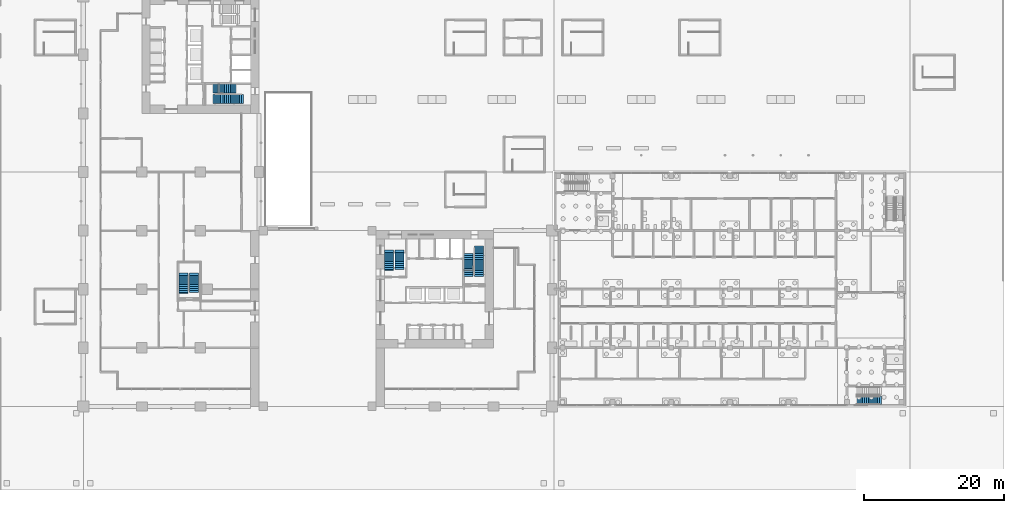
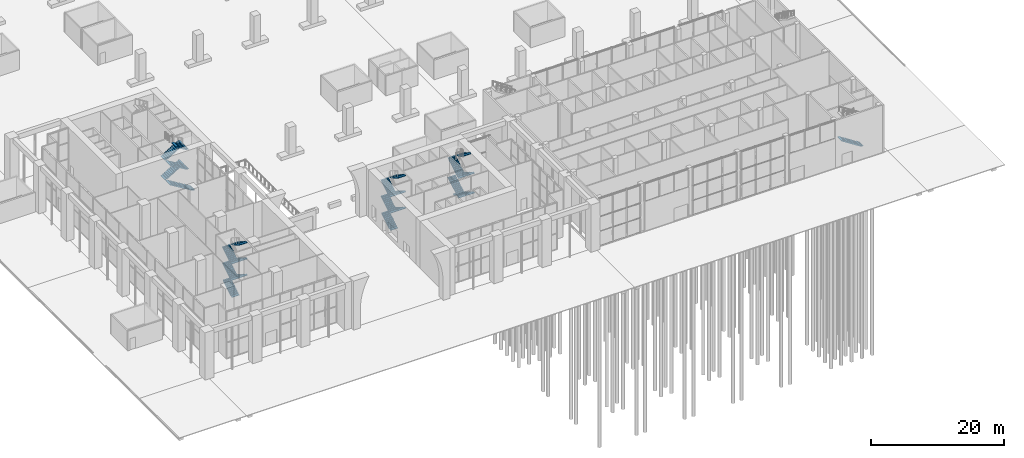
# One storey, part 32 of 46: 23 stair flights, 5 elements without a shape of their own.
"""IFC4 building model written with IfcOpenShell, lengths in metres."""

from ifc_helpers import new_model, si_unit, direction, frame, origin, place, context, subcontext, project, spatial, polyline, outline, extrude, material, type_object, element, aggregate, save


model = new_model("IFC4")

# Units and contexts
model_context = context("Model", 3, precision=1e-05, world=origin(), true_north=direction((0.0, 1.0)))
body_context = subcontext(model_context, "Body", "Model", "MODEL_VIEW")
ifc_project = project(units=[si_unit("LENGTHUNIT", "METRE"), si_unit("AREAUNIT", "SQUARE_METRE"), si_unit("VOLUMEUNIT", "CUBIC_METRE"), si_unit("PLANEANGLEUNIT", "RADIAN"), si_unit("MASSUNIT", "GRAM", prefix="KILO")], contexts=[model_context])

# Site, building, storey
site_placement = place(None, origin())
site = spatial("IfcSite", under=ifc_project, at=site_placement, CompositionType="ELEMENT")
building_placement = place(site_placement, origin())
building = spatial("IfcBuilding", under=site, at=building_placement, Name="Vermilion Gate Residences", CompositionType="ELEMENT")
storey_placement = place(building_placement, origin())
storey = spatial("IfcBuildingStorey", under=building, at=storey_placement, Name="L00", CompositionType="ELEMENT", Elevation=0.0)

# Stair, stair flight
ifc_material_1 = material(Name="Concrete C35", Category="concrete")
stair_type_1 = type_object("IfcStairType", Name="RC STAIR 1200 (MARKET HALL)", PredefinedType="HALF_TURN_STAIR", material=ifc_material_1)
stair_1_placement = place(storey_placement, origin())
stair_1 = element("IfcStair", 1, at=stair_1_placement, inside=storey, type_object=stair_type_1, Name="Stair STH2-00", PredefinedType="HALF_TURN_STAIR")
ifc_material_2 = material(Name="Concrete C35", Category="concrete")
stair_flight_type_1 = type_object("IfcStairFlightType", Name="RC STAIR FLIGHT 1200 (MARKET HALL)", PredefinedType="STRAIGHT", material=ifc_material_2)
stair_flight_1_placement = place(storey_placement, frame((114.1650390625, 0.85009765625, 2.25), z_axis=(0.0, 0.0, 1.0), x_axis=(-1.0, 0.0, 0.0)))
stair_flight_1 = element("IfcStairFlight", 2, at=stair_flight_1_placement, type_object=stair_flight_type_1, Name="STH2-00 flight 2", NumberOfRisers=13, NumberOfTreads=12, PredefinedType="STRAIGHT", RiserHeight=0.173076923, TreadLength=0.27, context=body_context, shape_type="SweptSolid", body=[
    extrude(outline(polyline([(-0.300048828125, -0.14990234375), (-0.300048828125, -0.030029296875), (0.0, 0.0), (0.0, 0.173095703125), (0.27001953125, 0.173095703125), (0.27001953125, 0.34619140625), (0.5400390625, 0.34619140625), (0.5400390625, 0.519287109375), (0.81005859375, 0.519287109375), (0.81005859375, 0.6923828125), (1.080078125, 0.6923828125), (1.080078125, 0.865478515625), (1.35009765625, 0.865478515625), (1.35009765625, 1.03857421875), (1.6201171875, 1.03857421875), (1.6201171875, 1.21142578125), (1.889892578125, 1.21142578125), (1.889892578125, 1.384521484375), (2.159912109375, 1.384521484375), (2.159912109375, 1.5576171875), (2.429931640625, 1.5576171875), (2.429931640625, 1.730712890625), (2.699951171875, 1.730712890625), (2.699951171875, 1.90380859375), (2.969970703125, 1.90380859375), (2.969970703125, 2.076904296875), (3.239990234375, 2.076904296875), (3.239990234375, 2.25), (3.5400390625, 2.219970703125), (3.5400390625, 2.10009765625), (3.239990234375, 1.89892578125), (0.27783203125, 0.0), (-0.300048828125, -0.14990234375)])), frame((0.0, 0.60009765625, 0.0), z_axis=(0.0, -1.0, 0.0), x_axis=(1.0, 0.0, 0.0)), (0.0, 0.0, 1.0), 1.199951171875),
])
aggregate(stair_1, [stair_flight_1])

# Stair, stair flights
ifc_material_3 = material(Name="Concrete C50", Category="concrete")
stair_type_2 = type_object("IfcStairType", Name="SPECIAL ESCAPE STAIR 1300", PredefinedType="HALF_TURN_STAIR", material=ifc_material_3)
stair_2_placement = place(storey_placement, origin())
stair_2 = element("IfcStair", 3, at=stair_2_placement, inside=storey, type_object=stair_type_2, Name="Special escape stair STA1-00", PredefinedType="HALF_TURN_STAIR")
ifc_material_4 = material(Name="Concrete C50", Category="concrete")
stair_flight_type_2 = type_object("IfcStairFlightType", Name="STAIR FLIGHT 1300 RC C50", PredefinedType="STRAIGHT", material=ifc_material_4)
stair_flight_2_placement = place(storey_placement, frame((43.85009765625, 19.75, 0.0), z_axis=(0.0, 0.0, 1.0), x_axis=(0.0, 1.0, 0.0)))
stair_flight_2 = element("IfcStairFlight", 4, at=stair_flight_2_placement, type_object=stair_flight_type_2, Name="STA1-00 flight 1", NumberOfRisers=9, NumberOfTreads=8, PredefinedType="STRAIGHT", RiserHeight=0.166666667, TreadLength=0.27, context=body_context, shape_type="SweptSolid", body=[
    extrude(outline(polyline([(-0.300048828125, -0.14990234375), (-0.300048828125, -0.030029296875), (0.0, 0.0), (0.0, 0.166748046875), (0.27001953125, 0.166748046875), (0.27001953125, 0.333251953125), (0.5400390625, 0.333251953125), (0.5400390625, 0.5), (0.81005859375, 0.5), (0.81005859375, 0.666748046875), (1.080078125, 0.666748046875), (1.080078125, 0.833251953125), (1.35009765625, 0.833251953125), (1.35009765625, 1.0), (1.6201171875, 1.0), (1.6201171875, 1.166748046875), (1.889892578125, 1.166748046875), (1.889892578125, 1.333251953125), (2.159912109375, 1.333251953125), (2.159912109375, 1.5), (2.4599609375, 1.469970703125), (2.4599609375, 1.35009765625), (2.159912109375, 1.1572265625), (0.285400390625, 0.0), (-0.300048828125, -0.14990234375)])), frame((0.0, 0.64990234375, 0.0), z_axis=(0.0, -1.0, 0.0), x_axis=(1.0, 0.0, 0.0)), (0.0, 0.0, 1.0), 1.300048828125),
])
stair_flight_3_placement = place(storey_placement, frame((45.35009765625, 22.090087890625, 1.5), z_axis=(0.0, 0.0, 1.0), x_axis=(0.0, -1.0, 0.0)))
stair_flight_3 = element("IfcStairFlight", 5, at=stair_flight_3_placement, type_object=stair_flight_type_2, Name="STA1-00 flight 2", NumberOfRisers=9, NumberOfTreads=8, PredefinedType="STRAIGHT", RiserHeight=0.166666667, TreadLength=0.27, context=body_context, shape_type="SweptSolid", body=[
    extrude(outline(polyline([(-0.300048828125, -0.14990234375), (-0.300048828125, -0.030029296875), (0.0, 0.0), (0.0, 0.166748046875), (0.27001953125, 0.166748046875), (0.27001953125, 0.333251953125), (0.5400390625, 0.333251953125), (0.5400390625, 0.5), (0.81005859375, 0.5), (0.81005859375, 0.666748046875), (1.080078125, 0.666748046875), (1.080078125, 0.833251953125), (1.35009765625, 0.833251953125), (1.35009765625, 1.0), (1.6201171875, 1.0), (1.6201171875, 1.166748046875), (1.889892578125, 1.166748046875), (1.889892578125, 1.333251953125), (2.159912109375, 1.333251953125), (2.159912109375, 1.5), (2.4599609375, 1.469970703125), (2.4599609375, 1.35009765625), (2.159912109375, 1.1572265625), (0.285400390625, 0.0), (-0.300048828125, -0.14990234375)])), frame((0.0, 0.64990234375, 0.0), z_axis=(0.0, -1.0, 0.0), x_axis=(1.0, 0.0, 0.0)), (0.0, 0.0, 1.0), 1.300048828125),
])
stair_flight_4_placement = place(storey_placement, frame((43.85009765625, 19.929931640625, 3.0), z_axis=(0.0, 0.0, 1.0), x_axis=(0.0, 1.0, 0.0)))
stair_flight_4 = element("IfcStairFlight", 6, at=stair_flight_4_placement, type_object=stair_flight_type_2, Name="STA1-00 flight 3", NumberOfRisers=9, NumberOfTreads=8, PredefinedType="STRAIGHT", RiserHeight=0.166666667, TreadLength=0.27, context=body_context, shape_type="SweptSolid", body=[
    extrude(outline(polyline([(-0.300048828125, -0.14990234375), (-0.300048828125, -0.030029296875), (0.0, 0.0), (0.0, 0.166748046875), (0.27001953125, 0.166748046875), (0.27001953125, 0.333251953125), (0.5400390625, 0.333251953125), (0.5400390625, 0.5), (0.81005859375, 0.5), (0.81005859375, 0.666748046875), (1.080078125, 0.666748046875), (1.080078125, 0.833251953125), (1.35009765625, 0.833251953125), (1.35009765625, 1.0), (1.6201171875, 1.0), (1.6201171875, 1.166748046875), (1.889892578125, 1.166748046875), (1.889892578125, 1.333251953125), (2.159912109375, 1.333251953125), (2.159912109375, 1.5), (2.4599609375, 1.469970703125), (2.4599609375, 1.35009765625), (2.159912109375, 1.1572265625), (0.285400390625, 0.0), (-0.300048828125, -0.14990234375)])), frame((0.0, 0.64990234375, 0.0), z_axis=(0.0, -1.0, 0.0), x_axis=(1.0, 0.0, 0.0)), (0.0, 0.0, 1.0), 1.300048828125),
])
stair_flight_5_placement = place(storey_placement, frame((45.35009765625, 22.090087890625, 4.5), z_axis=(0.0, 0.0, 1.0), x_axis=(0.0, -1.0, 0.0)))
stair_flight_5 = element("IfcStairFlight", 7, at=stair_flight_5_placement, type_object=stair_flight_type_2, Name="STA1-00 flight 4", NumberOfRisers=9, NumberOfTreads=8, PredefinedType="STRAIGHT", RiserHeight=0.166666667, TreadLength=0.27, context=body_context, shape_type="SweptSolid", body=[
    extrude(outline(polyline([(-0.300048828125, -0.14990234375), (-0.300048828125, -0.030029296875), (0.0, 0.0), (0.0, 0.166748046875), (0.27001953125, 0.166748046875), (0.27001953125, 0.333251953125), (0.5400390625, 0.333251953125), (0.5400390625, 0.5), (0.81005859375, 0.5), (0.81005859375, 0.666748046875), (1.080078125, 0.666748046875), (1.080078125, 0.833251953125), (1.35009765625, 0.833251953125), (1.35009765625, 1.0), (1.6201171875, 1.0), (1.6201171875, 1.166748046875), (1.889892578125, 1.166748046875), (1.889892578125, 1.333251953125), (2.159912109375, 1.333251953125), (2.159912109375, 1.5), (2.4599609375, 1.469970703125), (2.4599609375, 1.35009765625), (2.159912109375, 1.1572265625), (0.285400390625, 0.0), (-0.300048828125, -0.14990234375)])), frame((0.0, 0.64990234375, 0.0), z_axis=(0.0, -1.0, 0.0), x_axis=(1.0, 0.0, 0.0)), (0.0, 0.0, 1.0), 1.300048828125),
])
stair_flight_6_placement = place(storey_placement, frame((43.85009765625, 19.929931640625, 6.0), z_axis=(0.0, 0.0, 1.0), x_axis=(0.0, 1.0, 0.0)))
stair_flight_6 = element("IfcStairFlight", 8, at=stair_flight_6_placement, type_object=stair_flight_type_2, Name="STA1-00 flight 5", NumberOfRisers=9, NumberOfTreads=8, PredefinedType="STRAIGHT", RiserHeight=0.166666667, TreadLength=0.27, context=body_context, shape_type="SweptSolid", body=[
    extrude(outline(polyline([(-0.300048828125, -0.14990234375), (-0.300048828125, -0.030029296875), (0.0, 0.0), (0.0, 0.166748046875), (0.27001953125, 0.166748046875), (0.27001953125, 0.333251953125), (0.5400390625, 0.333251953125), (0.5400390625, 0.5), (0.81005859375, 0.5), (0.81005859375, 0.666748046875), (1.080078125, 0.666748046875), (1.080078125, 0.833251953125), (1.35009765625, 0.833251953125), (1.35009765625, 1.0), (1.6201171875, 1.0), (1.6201171875, 1.166748046875), (1.889892578125, 1.166748046875), (1.889892578125, 1.333251953125), (2.159912109375, 1.333251953125), (2.159912109375, 1.5), (2.4599609375, 1.469970703125), (2.4599609375, 1.35009765625), (2.159912109375, 1.1572265625), (0.285400390625, 0.0), (-0.300048828125, -0.14990234375)])), frame((0.0, 0.64990234375, 0.0), z_axis=(0.0, -1.0, 0.0), x_axis=(1.0, 0.0, 0.0)), (0.0, 0.0, 1.0), 1.300048828125),
])
stair_flight_7_placement = place(storey_placement, frame((45.35009765625, 22.090087890625, 7.5), z_axis=(0.0, 0.0, 1.0), x_axis=(0.0, -1.0, 0.0)))
stair_flight_7 = element("IfcStairFlight", 9, at=stair_flight_7_placement, type_object=stair_flight_type_2, Name="STA1-00 flight 6", NumberOfRisers=9, NumberOfTreads=8, PredefinedType="STRAIGHT", RiserHeight=0.166666667, TreadLength=0.27, context=body_context, shape_type="SweptSolid", body=[
    extrude(outline(polyline([(-0.300048828125, -0.14990234375), (-0.300048828125, -0.030029296875), (0.0, 0.0), (0.0, 0.166748046875), (0.27001953125, 0.166748046875), (0.27001953125, 0.333251953125), (0.5400390625, 0.333251953125), (0.5400390625, 0.5), (0.81005859375, 0.5), (0.81005859375, 0.666748046875), (1.080078125, 0.666748046875), (1.080078125, 0.833251953125), (1.35009765625, 0.833251953125), (1.35009765625, 1.0), (1.6201171875, 1.0), (1.6201171875, 1.166748046875), (1.889892578125, 1.166748046875), (1.889892578125, 1.333251953125), (2.159912109375, 1.333251953125), (2.159912109375, 1.5), (2.4599609375, 1.469970703125), (2.4599609375, 1.35009765625), (2.159912109375, 1.1572265625), (0.285400390625, 0.0), (-0.300048828125, -0.14990234375)])), frame((0.0, 0.64990234375, 0.0), z_axis=(0.0, -1.0, 0.0), x_axis=(1.0, 0.0, 0.0)), (0.0, 0.0, 1.0), 1.300048828125),
])
aggregate(stair_2, [stair_flight_2, stair_flight_3, stair_flight_4, stair_flight_5, stair_flight_6, stair_flight_7])

stair_3_placement = place(storey_placement, origin())
stair_3 = element("IfcStair", 10, at=stair_3_placement, inside=storey, type_object=stair_type_2, Name="Special escape stair STA2-00", PredefinedType="HALF_TURN_STAIR")
stair_flight_8_placement = place(storey_placement, frame((56.75, 22.699951171875, 0.0), z_axis=(0.0, 0.0, 1.0), x_axis=(0.0, -1.0, 0.0)))
stair_flight_8 = element("IfcStairFlight", 11, at=stair_flight_8_placement, type_object=stair_flight_type_2, Name="STA2-00 flight 1", NumberOfRisers=15, NumberOfTreads=14, PredefinedType="STRAIGHT", RiserHeight=0.163636364, TreadLength=0.27, context=body_context, shape_type="SweptSolid", body=[
    extrude(outline(polyline([(-0.300048828125, -0.14990234375), (-0.300048828125, -0.030029296875), (0.0, 0.0), (0.0, 0.16357421875), (0.27001953125, 0.16357421875), (0.27001953125, 0.327392578125), (0.5400390625, 0.327392578125), (0.5400390625, 0.490966796875), (0.81005859375, 0.490966796875), (0.81005859375, 0.654541015625), (1.080078125, 0.654541015625), (1.080078125, 0.818115234375), (1.35009765625, 0.818115234375), (1.35009765625, 0.98193359375), (1.6201171875, 0.98193359375), (1.6201171875, 1.1455078125), (1.889892578125, 1.1455078125), (1.889892578125, 1.30908203125), (2.159912109375, 1.30908203125), (2.159912109375, 1.47265625), (2.429931640625, 1.47265625), (2.429931640625, 1.636474609375), (2.699951171875, 1.636474609375), (2.699951171875, 1.800048828125), (2.969970703125, 1.800048828125), (2.969970703125, 1.963623046875), (3.239990234375, 1.963623046875), (3.239990234375, 2.127197265625), (3.510009765625, 2.127197265625), (3.510009765625, 2.291015625), (3.780029296875, 2.291015625), (3.780029296875, 2.45458984375), (4.080078125, 2.424560546875), (4.080078125, 2.3046875), (3.780029296875, 2.11572265625), (0.289306640625, 0.0), (-0.300048828125, -0.14990234375)])), frame((0.0, 0.64990234375, 0.0), z_axis=(0.0, -1.0, 0.0), x_axis=(1.0, 0.0, 0.0)), (0.0, 0.0, 1.0), 1.300048828125),
])
stair_flight_9_placement = place(storey_placement, frame((55.25, 18.919921875, 2.45458984375), z_axis=(0.0, 0.0, 1.0), x_axis=(0.0, 1.0, 0.0)))
stair_flight_9 = element("IfcStairFlight", 12, at=stair_flight_9_placement, type_object=stair_flight_type_2, Name="STA2-00 flight 2", NumberOfRisers=11, NumberOfTreads=10, PredefinedType="STRAIGHT", RiserHeight=0.163636364, TreadLength=0.27, context=body_context, shape_type="SweptSolid", body=[
    extrude(outline(polyline([(-0.300048828125, -0.14990234375), (-0.300048828125, -0.030029296875), (0.0, 0.0), (0.0, 0.16357421875), (0.27001953125, 0.16357421875), (0.27001953125, 0.327392578125), (0.5400390625, 0.327392578125), (0.5400390625, 0.490966796875), (0.81005859375, 0.490966796875), (0.81005859375, 0.654541015625), (1.080078125, 0.654541015625), (1.080078125, 0.818115234375), (1.35009765625, 0.818115234375), (1.35009765625, 0.98193359375), (1.6201171875, 0.98193359375), (1.6201171875, 1.1455078125), (1.889892578125, 1.1455078125), (1.889892578125, 1.30908203125), (2.159912109375, 1.30908203125), (2.159912109375, 1.47265625), (2.429931640625, 1.47265625), (2.429931640625, 1.636474609375), (2.699951171875, 1.636474609375), (2.699951171875, 1.800048828125), (3.0, 1.77001953125), (3.0, 1.650146484375), (2.699951171875, 1.461181640625), (0.289306640625, 0.0), (-0.300048828125, -0.14990234375)])), frame((0.0, 0.64990234375, 0.0), z_axis=(0.0, -1.0, 0.0), x_axis=(1.0, 0.0, 0.0)), (0.0, 0.0, 1.0), 1.300048828125),
])
stair_flight_10_placement = place(storey_placement, frame((56.75, 21.6201171875, 4.254638671875), z_axis=(0.0, 0.0, 1.0), x_axis=(0.0, -1.0, 0.0)))
stair_flight_10 = element("IfcStairFlight", 13, at=stair_flight_10_placement, type_object=stair_flight_type_2, Name="STA2-00 flight 3", NumberOfRisers=11, NumberOfTreads=10, PredefinedType="STRAIGHT", RiserHeight=0.163636364, TreadLength=0.27, context=body_context, shape_type="SweptSolid", body=[
    extrude(outline(polyline([(-0.300048828125, -0.14990234375), (-0.300048828125, -0.030029296875), (0.0, 0.0), (0.0, 0.16357421875), (0.27001953125, 0.16357421875), (0.27001953125, 0.327392578125), (0.5400390625, 0.327392578125), (0.5400390625, 0.490966796875), (0.81005859375, 0.490966796875), (0.81005859375, 0.654541015625), (1.080078125, 0.654541015625), (1.080078125, 0.818115234375), (1.35009765625, 0.818115234375), (1.35009765625, 0.98193359375), (1.6201171875, 0.98193359375), (1.6201171875, 1.1455078125), (1.889892578125, 1.1455078125), (1.889892578125, 1.30908203125), (2.159912109375, 1.30908203125), (2.159912109375, 1.47265625), (2.429931640625, 1.47265625), (2.429931640625, 1.636474609375), (2.699951171875, 1.636474609375), (2.699951171875, 1.800048828125), (3.0, 1.77001953125), (3.0, 1.650146484375), (2.699951171875, 1.461181640625), (0.289306640625, 0.0), (-0.300048828125, -0.14990234375)])), frame((0.0, 0.64990234375, 0.0), z_axis=(0.0, -1.0, 0.0), x_axis=(1.0, 0.0, 0.0)), (0.0, 0.0, 1.0), 1.300048828125),
])
stair_flight_11_placement = place(storey_placement, frame((55.25, 18.919921875, 6.054443359375), z_axis=(0.0, 0.0, 1.0), x_axis=(0.0, 1.0, 0.0)))
stair_flight_11 = element("IfcStairFlight", 14, at=stair_flight_11_placement, type_object=stair_flight_type_2, Name="STA2-00 flight 4", NumberOfRisers=11, NumberOfTreads=10, PredefinedType="STRAIGHT", RiserHeight=0.163636364, TreadLength=0.27, context=body_context, shape_type="SweptSolid", body=[
    extrude(outline(polyline([(-0.300048828125, -0.14990234375), (-0.300048828125, -0.030029296875), (0.0, 0.0), (0.0, 0.16357421875), (0.27001953125, 0.16357421875), (0.27001953125, 0.327392578125), (0.5400390625, 0.327392578125), (0.5400390625, 0.490966796875), (0.81005859375, 0.490966796875), (0.81005859375, 0.654541015625), (1.080078125, 0.654541015625), (1.080078125, 0.818115234375), (1.35009765625, 0.818115234375), (1.35009765625, 0.98193359375), (1.6201171875, 0.98193359375), (1.6201171875, 1.1455078125), (1.889892578125, 1.1455078125), (1.889892578125, 1.30908203125), (2.159912109375, 1.30908203125), (2.159912109375, 1.47265625), (2.429931640625, 1.47265625), (2.429931640625, 1.636474609375), (2.699951171875, 1.636474609375), (2.699951171875, 1.800048828125), (3.0, 1.77001953125), (3.0, 1.650146484375), (2.699951171875, 1.461181640625), (0.289306640625, 0.0), (-0.300048828125, -0.14990234375)])), frame((0.0, 0.64990234375, 0.0), z_axis=(0.0, -1.0, 0.0), x_axis=(1.0, 0.0, 0.0)), (0.0, 0.0, 1.0), 1.300048828125),
])
stair_flight_12_placement = place(storey_placement, frame((56.75, 21.6201171875, 7.8544921875), z_axis=(0.0, 0.0, 1.0), x_axis=(0.0, -1.0, 0.0)))
stair_flight_12 = element("IfcStairFlight", 15, at=stair_flight_12_placement, type_object=stair_flight_type_2, Name="STA2-00 flight 5", NumberOfRisers=7, NumberOfTreads=6, PredefinedType="STRAIGHT", RiserHeight=0.163636364, TreadLength=0.27, context=body_context, shape_type="SweptSolid", body=[
    extrude(outline(polyline([(-0.300048828125, -0.14990234375), (-0.300048828125, -0.08984375), (-0.300048828125, -0.030029296875), (0.0, 0.0), (0.0, 0.16357421875), (0.27001953125, 0.16357421875), (0.27001953125, 0.327392578125), (0.5400390625, 0.327392578125), (0.5400390625, 0.490966796875), (0.81005859375, 0.490966796875), (0.81005859375, 0.654541015625), (1.080078125, 0.654541015625), (1.080078125, 0.818115234375), (1.35009765625, 0.818115234375), (1.35009765625, 0.98193359375), (1.6201171875, 0.98193359375), (1.6201171875, 1.1455078125), (1.919921875, 1.115478515625), (1.919921875, 1.055419921875), (1.919921875, 0.99560546875), (1.6201171875, 0.806640625), (0.289306640625, 0.0), (-0.300048828125, -0.14990234375)])), frame((0.0, 0.64990234375, 0.0), z_axis=(0.0, -1.0, 0.0), x_axis=(1.0, 0.0, 0.0)), (0.0, 0.0, 1.0), 1.300048828125),
])
aggregate(stair_3, [stair_flight_8, stair_flight_9, stair_flight_10, stair_flight_11, stair_flight_12])

stair_4_placement = place(storey_placement, origin())
stair_4 = element("IfcStair", 16, at=stair_4_placement, inside=storey, type_object=stair_type_2, Name="Special escape stair STB2-00", PredefinedType="HALF_TURN_STAIR")
stair_flight_13_placement = place(storey_placement, frame((22.699951171875, 44.050048828125, 0.0), z_axis=(0.0, 0.0, 1.0), x_axis=(-1.0, 0.0, 0.0)))
stair_flight_13 = element("IfcStairFlight", 17, at=stair_flight_13_placement, type_object=stair_flight_type_2, Name="STB2-00 flight 1", NumberOfRisers=15, NumberOfTreads=14, PredefinedType="STRAIGHT", RiserHeight=0.163636364, TreadLength=0.27, context=body_context, shape_type="SweptSolid", body=[
    extrude(outline(polyline([(-0.300048828125, -0.14990234375), (-0.300048828125, -0.030029296875), (0.0, 0.0), (0.0, 0.16357421875), (0.27001953125, 0.16357421875), (0.27001953125, 0.327392578125), (0.5400390625, 0.327392578125), (0.5400390625, 0.490966796875), (0.81005859375, 0.490966796875), (0.81005859375, 0.654541015625), (1.080078125, 0.654541015625), (1.080078125, 0.818115234375), (1.35009765625, 0.818115234375), (1.35009765625, 0.98193359375), (1.6201171875, 0.98193359375), (1.6201171875, 1.1455078125), (1.889892578125, 1.1455078125), (1.889892578125, 1.30908203125), (2.159912109375, 1.30908203125), (2.159912109375, 1.47265625), (2.429931640625, 1.47265625), (2.429931640625, 1.636474609375), (2.699951171875, 1.636474609375), (2.699951171875, 1.800048828125), (2.969970703125, 1.800048828125), (2.969970703125, 1.963623046875), (3.239990234375, 1.963623046875), (3.239990234375, 2.127197265625), (3.510009765625, 2.127197265625), (3.510009765625, 2.291015625), (3.780029296875, 2.291015625), (3.780029296875, 2.45458984375), (4.080078125, 2.424560546875), (4.080078125, 2.3046875), (3.780029296875, 2.11572265625), (0.289306640625, 0.0), (-0.300048828125, -0.14990234375)])), frame((0.0, 0.64990234375, 0.0), z_axis=(0.0, -1.0, 0.0), x_axis=(1.0, 0.0, 0.0)), (0.0, 0.0, 1.0), 1.300048828125),
])
stair_flight_14_placement = place(storey_placement, frame((18.919921875, 45.550048828125, 2.45458984375), z_axis=(0.0, 0.0, 1.0), x_axis=(1.0, 0.0, 0.0)))
stair_flight_14 = element("IfcStairFlight", 18, at=stair_flight_14_placement, type_object=stair_flight_type_2, Name="STB2-00 flight 2", NumberOfRisers=11, NumberOfTreads=10, PredefinedType="STRAIGHT", RiserHeight=0.163636364, TreadLength=0.27, context=body_context, shape_type="SweptSolid", body=[
    extrude(outline(polyline([(-0.300048828125, -0.14990234375), (-0.300048828125, -0.030029296875), (0.0, 0.0), (0.0, 0.16357421875), (0.27001953125, 0.16357421875), (0.27001953125, 0.327392578125), (0.5400390625, 0.327392578125), (0.5400390625, 0.490966796875), (0.81005859375, 0.490966796875), (0.81005859375, 0.654541015625), (1.080078125, 0.654541015625), (1.080078125, 0.818115234375), (1.35009765625, 0.818115234375), (1.35009765625, 0.98193359375), (1.6201171875, 0.98193359375), (1.6201171875, 1.1455078125), (1.889892578125, 1.1455078125), (1.889892578125, 1.30908203125), (2.159912109375, 1.30908203125), (2.159912109375, 1.47265625), (2.429931640625, 1.47265625), (2.429931640625, 1.636474609375), (2.699951171875, 1.636474609375), (2.699951171875, 1.800048828125), (3.0, 1.77001953125), (3.0, 1.650146484375), (2.699951171875, 1.461181640625), (0.289306640625, 0.0), (-0.300048828125, -0.14990234375)])), frame((0.0, 0.64990234375, 0.0), z_axis=(0.0, -1.0, 0.0), x_axis=(1.0, 0.0, 0.0)), (0.0, 0.0, 1.0), 1.300048828125),
])
stair_flight_15_placement = place(storey_placement, frame((21.6201171875, 44.050048828125, 4.254638671875), z_axis=(0.0, 0.0, 1.0), x_axis=(-1.0, 0.0, 0.0)))
stair_flight_15 = element("IfcStairFlight", 19, at=stair_flight_15_placement, type_object=stair_flight_type_2, Name="STB2-00 flight 3", NumberOfRisers=11, NumberOfTreads=10, PredefinedType="STRAIGHT", RiserHeight=0.163636364, TreadLength=0.27, context=body_context, shape_type="SweptSolid", body=[
    extrude(outline(polyline([(-0.300048828125, -0.14990234375), (-0.300048828125, -0.030029296875), (0.0, 0.0), (0.0, 0.16357421875), (0.27001953125, 0.16357421875), (0.27001953125, 0.327392578125), (0.5400390625, 0.327392578125), (0.5400390625, 0.490966796875), (0.81005859375, 0.490966796875), (0.81005859375, 0.654541015625), (1.080078125, 0.654541015625), (1.080078125, 0.818115234375), (1.35009765625, 0.818115234375), (1.35009765625, 0.98193359375), (1.6201171875, 0.98193359375), (1.6201171875, 1.1455078125), (1.889892578125, 1.1455078125), (1.889892578125, 1.30908203125), (2.159912109375, 1.30908203125), (2.159912109375, 1.47265625), (2.429931640625, 1.47265625), (2.429931640625, 1.636474609375), (2.699951171875, 1.636474609375), (2.699951171875, 1.800048828125), (3.0, 1.77001953125), (3.0, 1.650146484375), (2.699951171875, 1.461181640625), (0.289306640625, 0.0), (-0.300048828125, -0.14990234375)])), frame((0.0, 0.64990234375, 0.0), z_axis=(0.0, -1.0, 0.0), x_axis=(1.0, 0.0, 0.0)), (0.0, 0.0, 1.0), 1.300048828125),
])
stair_flight_16_placement = place(storey_placement, frame((18.919921875, 45.550048828125, 6.054443359375), z_axis=(0.0, 0.0, 1.0), x_axis=(1.0, 0.0, 0.0)))
stair_flight_16 = element("IfcStairFlight", 20, at=stair_flight_16_placement, type_object=stair_flight_type_2, Name="STB2-00 flight 4", NumberOfRisers=11, NumberOfTreads=10, PredefinedType="STRAIGHT", RiserHeight=0.163636364, TreadLength=0.27, context=body_context, shape_type="SweptSolid", body=[
    extrude(outline(polyline([(-0.300048828125, -0.14990234375), (-0.300048828125, -0.030029296875), (0.0, 0.0), (0.0, 0.16357421875), (0.27001953125, 0.16357421875), (0.27001953125, 0.327392578125), (0.5400390625, 0.327392578125), (0.5400390625, 0.490966796875), (0.81005859375, 0.490966796875), (0.81005859375, 0.654541015625), (1.080078125, 0.654541015625), (1.080078125, 0.818115234375), (1.35009765625, 0.818115234375), (1.35009765625, 0.98193359375), (1.6201171875, 0.98193359375), (1.6201171875, 1.1455078125), (1.889892578125, 1.1455078125), (1.889892578125, 1.30908203125), (2.159912109375, 1.30908203125), (2.159912109375, 1.47265625), (2.429931640625, 1.47265625), (2.429931640625, 1.636474609375), (2.699951171875, 1.636474609375), (2.699951171875, 1.800048828125), (3.0, 1.77001953125), (3.0, 1.650146484375), (2.699951171875, 1.461181640625), (0.289306640625, 0.0), (-0.300048828125, -0.14990234375)])), frame((0.0, 0.64990234375, 0.0), z_axis=(0.0, -1.0, 0.0), x_axis=(1.0, 0.0, 0.0)), (0.0, 0.0, 1.0), 1.300048828125),
])
stair_flight_17_placement = place(storey_placement, frame((21.6201171875, 44.050048828125, 7.8544921875), z_axis=(0.0, 0.0, 1.0), x_axis=(-1.0, 0.0, 0.0)))
stair_flight_17 = element("IfcStairFlight", 21, at=stair_flight_17_placement, type_object=stair_flight_type_2, Name="STB2-00 flight 5", NumberOfRisers=7, NumberOfTreads=6, PredefinedType="STRAIGHT", RiserHeight=0.163636364, TreadLength=0.27, context=body_context, shape_type="SweptSolid", body=[
    extrude(outline(polyline([(-0.300048828125, -0.14990234375), (-0.300048828125, -0.08984375), (-0.300048828125, -0.030029296875), (0.0, 0.0), (0.0, 0.16357421875), (0.27001953125, 0.16357421875), (0.27001953125, 0.327392578125), (0.5400390625, 0.327392578125), (0.5400390625, 0.490966796875), (0.81005859375, 0.490966796875), (0.81005859375, 0.654541015625), (1.080078125, 0.654541015625), (1.080078125, 0.818115234375), (1.35009765625, 0.818115234375), (1.35009765625, 0.98193359375), (1.6201171875, 0.98193359375), (1.6201171875, 1.1455078125), (1.919921875, 1.115478515625), (1.919921875, 1.055419921875), (1.919921875, 0.99560546875), (1.6201171875, 0.806640625), (0.289306640625, 0.0), (-0.300048828125, -0.14990234375)])), frame((0.0, 0.64990234375, 0.0), z_axis=(0.0, -1.0, 0.0), x_axis=(1.0, 0.0, 0.0)), (0.0, 0.0, 1.0), 1.300048828125),
])
aggregate(stair_4, [stair_flight_13, stair_flight_14, stair_flight_15, stair_flight_16, stair_flight_17])

stair_5_placement = place(storey_placement, origin())
stair_5 = element("IfcStair", 22, at=stair_5_placement, inside=storey, type_object=stair_type_2, Name="Special escape stair STC1-00", PredefinedType="HALF_TURN_STAIR")
stair_flight_18_placement = place(storey_placement, frame((14.35009765625, 16.449951171875, 0.0), z_axis=(0.0, 0.0, 1.0), x_axis=(0.0, 1.0, 0.0)))
stair_flight_18 = element("IfcStairFlight", 23, at=stair_flight_18_placement, type_object=stair_flight_type_2, Name="STC1-00 flight 1", NumberOfRisers=9, NumberOfTreads=8, PredefinedType="STRAIGHT", RiserHeight=0.166666667, TreadLength=0.27, context=body_context, shape_type="SweptSolid", body=[
    extrude(outline(polyline([(-0.300048828125, -0.14990234375), (-0.300048828125, -0.030029296875), (0.0, 0.0), (0.0, 0.166748046875), (0.27001953125, 0.166748046875), (0.27001953125, 0.333251953125), (0.5400390625, 0.333251953125), (0.5400390625, 0.5), (0.81005859375, 0.5), (0.81005859375, 0.666748046875), (1.080078125, 0.666748046875), (1.080078125, 0.833251953125), (1.35009765625, 0.833251953125), (1.35009765625, 1.0), (1.6201171875, 1.0), (1.6201171875, 1.166748046875), (1.889892578125, 1.166748046875), (1.889892578125, 1.333251953125), (2.159912109375, 1.333251953125), (2.159912109375, 1.5), (2.4599609375, 1.469970703125), (2.4599609375, 1.35009765625), (2.159912109375, 1.1572265625), (0.285400390625, 0.0), (-0.300048828125, -0.14990234375)])), frame((0.0, 0.64990234375, 0.0), z_axis=(0.0, -1.0, 0.0), x_axis=(1.0, 0.0, 0.0)), (0.0, 0.0, 1.0), 1.300048828125),
])
stair_flight_19_placement = place(storey_placement, frame((15.85009765625, 18.7900390625, 1.5), z_axis=(0.0, 0.0, 1.0), x_axis=(0.0, -1.0, 0.0)))
stair_flight_19 = element("IfcStairFlight", 24, at=stair_flight_19_placement, type_object=stair_flight_type_2, Name="STC1-00 flight 2", NumberOfRisers=9, NumberOfTreads=8, PredefinedType="STRAIGHT", RiserHeight=0.166666667, TreadLength=0.27, context=body_context, shape_type="SweptSolid", body=[
    extrude(outline(polyline([(-0.300048828125, -0.14990234375), (-0.300048828125, -0.030029296875), (0.0, 0.0), (0.0, 0.166748046875), (0.27001953125, 0.166748046875), (0.27001953125, 0.333251953125), (0.5400390625, 0.333251953125), (0.5400390625, 0.5), (0.81005859375, 0.5), (0.81005859375, 0.666748046875), (1.080078125, 0.666748046875), (1.080078125, 0.833251953125), (1.35009765625, 0.833251953125), (1.35009765625, 1.0), (1.6201171875, 1.0), (1.6201171875, 1.166748046875), (1.889892578125, 1.166748046875), (1.889892578125, 1.333251953125), (2.159912109375, 1.333251953125), (2.159912109375, 1.5), (2.4599609375, 1.469970703125), (2.4599609375, 1.35009765625), (2.159912109375, 1.1572265625), (0.285400390625, 0.0), (-0.300048828125, -0.14990234375)])), frame((0.0, 0.64990234375, 0.0), z_axis=(0.0, -1.0, 0.0), x_axis=(1.0, 0.0, 0.0)), (0.0, 0.0, 1.0), 1.300048828125),
])
stair_flight_20_placement = place(storey_placement, frame((14.35009765625, 16.6298828125, 3.0), z_axis=(0.0, 0.0, 1.0), x_axis=(0.0, 1.0, 0.0)))
stair_flight_20 = element("IfcStairFlight", 25, at=stair_flight_20_placement, type_object=stair_flight_type_2, Name="STC1-00 flight 3", NumberOfRisers=9, NumberOfTreads=8, PredefinedType="STRAIGHT", RiserHeight=0.166666667, TreadLength=0.27, context=body_context, shape_type="SweptSolid", body=[
    extrude(outline(polyline([(-0.300048828125, -0.14990234375), (-0.300048828125, -0.030029296875), (0.0, 0.0), (0.0, 0.166748046875), (0.27001953125, 0.166748046875), (0.27001953125, 0.333251953125), (0.5400390625, 0.333251953125), (0.5400390625, 0.5), (0.81005859375, 0.5), (0.81005859375, 0.666748046875), (1.080078125, 0.666748046875), (1.080078125, 0.833251953125), (1.35009765625, 0.833251953125), (1.35009765625, 1.0), (1.6201171875, 1.0), (1.6201171875, 1.166748046875), (1.889892578125, 1.166748046875), (1.889892578125, 1.333251953125), (2.159912109375, 1.333251953125), (2.159912109375, 1.5), (2.4599609375, 1.469970703125), (2.4599609375, 1.35009765625), (2.159912109375, 1.1572265625), (0.285400390625, 0.0), (-0.300048828125, -0.14990234375)])), frame((0.0, 0.64990234375, 0.0), z_axis=(0.0, -1.0, 0.0), x_axis=(1.0, 0.0, 0.0)), (0.0, 0.0, 1.0), 1.300048828125),
])
stair_flight_21_placement = place(storey_placement, frame((15.85009765625, 18.7900390625, 4.5), z_axis=(0.0, 0.0, 1.0), x_axis=(0.0, -1.0, 0.0)))
stair_flight_21 = element("IfcStairFlight", 26, at=stair_flight_21_placement, type_object=stair_flight_type_2, Name="STC1-00 flight 4", NumberOfRisers=9, NumberOfTreads=8, PredefinedType="STRAIGHT", RiserHeight=0.166666667, TreadLength=0.27, context=body_context, shape_type="SweptSolid", body=[
    extrude(outline(polyline([(-0.300048828125, -0.14990234375), (-0.300048828125, -0.030029296875), (0.0, 0.0), (0.0, 0.166748046875), (0.27001953125, 0.166748046875), (0.27001953125, 0.333251953125), (0.5400390625, 0.333251953125), (0.5400390625, 0.5), (0.81005859375, 0.5), (0.81005859375, 0.666748046875), (1.080078125, 0.666748046875), (1.080078125, 0.833251953125), (1.35009765625, 0.833251953125), (1.35009765625, 1.0), (1.6201171875, 1.0), (1.6201171875, 1.166748046875), (1.889892578125, 1.166748046875), (1.889892578125, 1.333251953125), (2.159912109375, 1.333251953125), (2.159912109375, 1.5), (2.4599609375, 1.469970703125), (2.4599609375, 1.35009765625), (2.159912109375, 1.1572265625), (0.285400390625, 0.0), (-0.300048828125, -0.14990234375)])), frame((0.0, 0.64990234375, 0.0), z_axis=(0.0, -1.0, 0.0), x_axis=(1.0, 0.0, 0.0)), (0.0, 0.0, 1.0), 1.300048828125),
])
stair_flight_22_placement = place(storey_placement, frame((14.35009765625, 16.6298828125, 6.0), z_axis=(0.0, 0.0, 1.0), x_axis=(0.0, 1.0, 0.0)))
stair_flight_22 = element("IfcStairFlight", 27, at=stair_flight_22_placement, type_object=stair_flight_type_2, Name="STC1-00 flight 5", NumberOfRisers=9, NumberOfTreads=8, PredefinedType="STRAIGHT", RiserHeight=0.166666667, TreadLength=0.27, context=body_context, shape_type="SweptSolid", body=[
    extrude(outline(polyline([(-0.300048828125, -0.14990234375), (-0.300048828125, -0.030029296875), (0.0, 0.0), (0.0, 0.166748046875), (0.27001953125, 0.166748046875), (0.27001953125, 0.333251953125), (0.5400390625, 0.333251953125), (0.5400390625, 0.5), (0.81005859375, 0.5), (0.81005859375, 0.666748046875), (1.080078125, 0.666748046875), (1.080078125, 0.833251953125), (1.35009765625, 0.833251953125), (1.35009765625, 1.0), (1.6201171875, 1.0), (1.6201171875, 1.166748046875), (1.889892578125, 1.166748046875), (1.889892578125, 1.333251953125), (2.159912109375, 1.333251953125), (2.159912109375, 1.5), (2.4599609375, 1.469970703125), (2.4599609375, 1.35009765625), (2.159912109375, 1.1572265625), (0.285400390625, 0.0), (-0.300048828125, -0.14990234375)])), frame((0.0, 0.64990234375, 0.0), z_axis=(0.0, -1.0, 0.0), x_axis=(1.0, 0.0, 0.0)), (0.0, 0.0, 1.0), 1.300048828125),
])
stair_flight_23_placement = place(storey_placement, frame((15.85009765625, 18.7900390625, 7.5), z_axis=(0.0, 0.0, 1.0), x_axis=(0.0, -1.0, 0.0)))
stair_flight_23 = element("IfcStairFlight", 28, at=stair_flight_23_placement, type_object=stair_flight_type_2, Name="STC1-00 flight 6", NumberOfRisers=9, NumberOfTreads=8, PredefinedType="STRAIGHT", RiserHeight=0.166666667, TreadLength=0.27, context=body_context, shape_type="SweptSolid", body=[
    extrude(outline(polyline([(-0.300048828125, -0.14990234375), (-0.300048828125, -0.030029296875), (0.0, 0.0), (0.0, 0.166748046875), (0.27001953125, 0.166748046875), (0.27001953125, 0.333251953125), (0.5400390625, 0.333251953125), (0.5400390625, 0.5), (0.81005859375, 0.5), (0.81005859375, 0.666748046875), (1.080078125, 0.666748046875), (1.080078125, 0.833251953125), (1.35009765625, 0.833251953125), (1.35009765625, 1.0), (1.6201171875, 1.0), (1.6201171875, 1.166748046875), (1.889892578125, 1.166748046875), (1.889892578125, 1.333251953125), (2.159912109375, 1.333251953125), (2.159912109375, 1.5), (2.4599609375, 1.469970703125), (2.4599609375, 1.35009765625), (2.159912109375, 1.1572265625), (0.285400390625, 0.0), (-0.300048828125, -0.14990234375)])), frame((0.0, 0.64990234375, 0.0), z_axis=(0.0, -1.0, 0.0), x_axis=(1.0, 0.0, 0.0)), (0.0, 0.0, 1.0), 1.300048828125),
])
aggregate(stair_5, [stair_flight_18, stair_flight_19, stair_flight_20, stair_flight_21, stair_flight_22, stair_flight_23])

save(model, "model.ifc")
